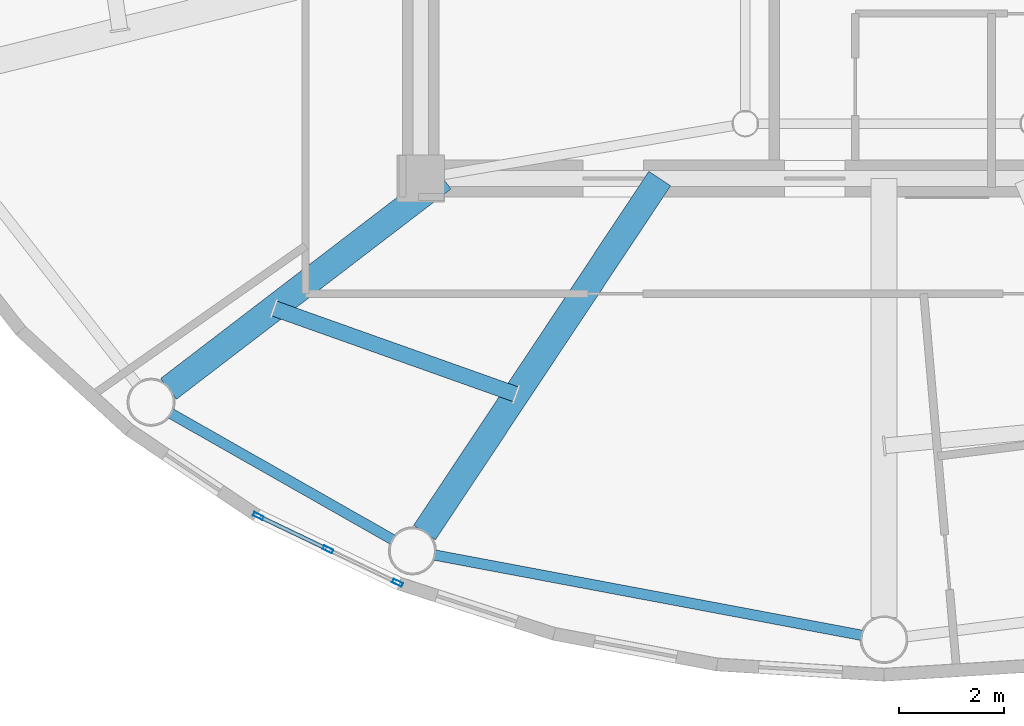
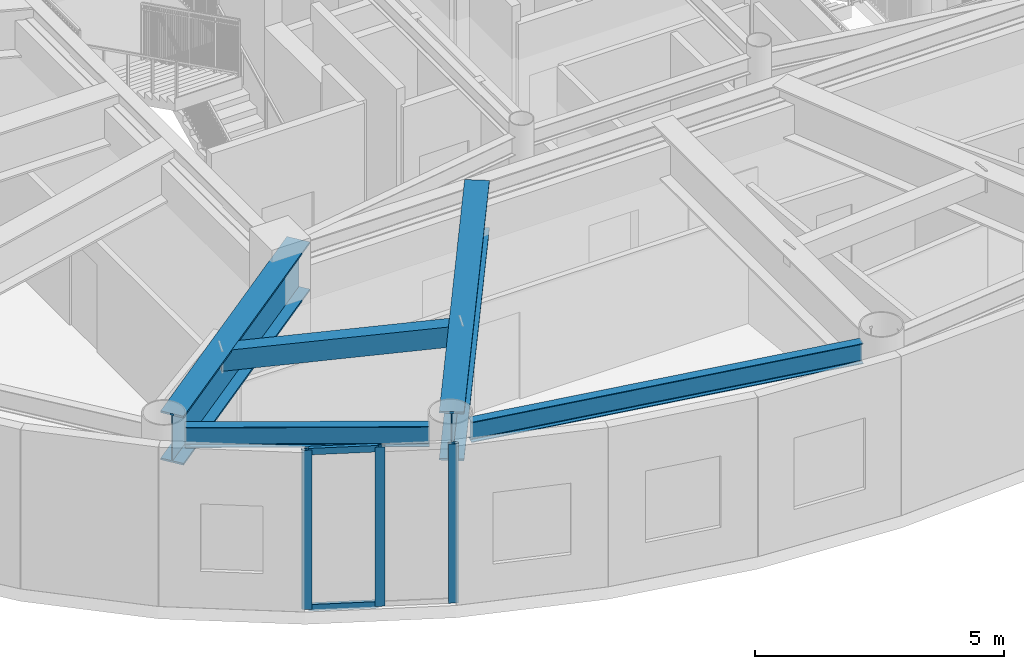
# One storey, part 3 of 26: 5 beams, 5 members, 1 element without a shape of its own.
"""IFC4 building model written with IfcOpenShell, lengths in metres."""

from ifc_helpers import new_model, si_unit, direction, frame, origin, origin_2d, place, context, subcontext, project, spatial, hollow_rectangle, i_section, extrude, source, transform, mapped, material, layer, layer_set, material_profile, profile_set, type_object, element, aggregate, save


model = new_model("IFC4")

# Units and contexts
model_context = context("Model", 3, precision=1e-05, world=origin(), true_north=direction((0.0, 1.0)))
body_context = subcontext(model_context, "Body", "Model", "MODEL_VIEW")
ifc_project = project(units=[si_unit("LENGTHUNIT", "METRE"), si_unit("AREAUNIT", "SQUARE_METRE"), si_unit("VOLUMEUNIT", "CUBIC_METRE"), si_unit("PLANEANGLEUNIT", "RADIAN"), si_unit("MASSUNIT", "GRAM", prefix="KILO")], contexts=[model_context])

# Site, building, storey
site_placement = place(None, origin())
site = spatial("IfcSite", under=ifc_project, at=site_placement, CompositionType="ELEMENT")
building_placement = place(site_placement, origin())
building = spatial("IfcBuilding", under=site, at=building_placement, Name="Linh Dai School and Residence Tower", CompositionType="ELEMENT")
storey_placement = place(building_placement, frame((0.0, 0.0, 346.800048828125)))
storey = spatial("IfcBuildingStorey", under=building, at=storey_placement, Name="L86", CompositionType="ELEMENT", Elevation=346.800048828125)

# Beams
ifc_material_1 = material(Name="Structural Steel S355JR", Category="steel")
ifc_material_profile_1 = material_profile(ifc_material_1, hollow_rectangle(XDim=0.300048828125, YDim=0.5, WallThickness=0.01611328125, at=origin_2d()), Name="RHS 500x300x16")
ifc_profile_set_1 = profile_set([ifc_material_profile_1], Name="Structural Steel S355JR")
beam_type_1 = type_object("IfcBeamType", Name="BM-BX5", PredefinedType="BEAM", material=ifc_profile_set_1)
beam_1_placement = place(storey_placement, frame((24.345703125, 18.070068359375, 3.64990234375), z_axis=(0.942259700993, -0.334883048069, 0.0), x_axis=(0.334883048069, 0.942259700993, 0.0)))
element("IfcBeam", 1, at=beam_1_placement, inside=storey, type_object=beam_type_1, Name="L86 Secondary Circumferential Floor Beam 06", PredefinedType="BEAM", context=body_context, shape_type="SweptSolid", body=[
    extrude(hollow_rectangle(XDim=0.300048828125, YDim=0.5, WallThickness=0.01611328125, at=origin_2d()), origin(), (0.0, 0.0, 1.0), 4.9072265625),
])
ifc_material_profile_2 = material_profile(ifc_material_1, i_section(OverallWidth=0.199951171875, OverallDepth=0.5, WebThickness=0.01025390625, FlangeThickness=0.01611328125, FilletRadius=0.02099609375, at=origin_2d()), Name="IPE 500")
ifc_profile_set_2 = profile_set([ifc_material_profile_2], Name="Structural Steel S355JR")
beam_type_2 = type_object("IfcBeamType", Name="BM-RB50", PredefinedType="BEAM", material=ifc_profile_set_2)
beam_2_placement = place(storey_placement, frame((22.362548828125, 16.069580078125, 3.64990234375), z_axis=(0.86923725405, -0.494395182189, 0.0), x_axis=(0.494395182189, 0.86923725405, 0.0)))
element("IfcBeam", 2, at=beam_2_placement, inside=storey, type_object=beam_type_2, Name="L86 Perimeter Elliptical Ring Beam 11", PredefinedType="BEAM", context=body_context, shape_type="SweptSolid", body=[
    extrude(i_section(OverallWidth=0.199951171875, OverallDepth=0.5, WebThickness=0.01025390625, FlangeThickness=0.01611328125, FilletRadius=0.02099609375, at=origin_2d()), origin(), (0.0, 0.0, 1.0), 4.903076171875),
])
beam_3_placement = place(storey_placement, frame((27.402587890625, 13.3603515625, 3.64990234375), z_axis=(0.98280175603, -0.184663771066, 0.0), x_axis=(0.184663771066, 0.98280175603, 0.0)))
element("IfcBeam", 3, at=beam_3_placement, inside=storey, type_object=beam_type_2, Name="L86 Perimeter Elliptical Ring Beam 12", PredefinedType="BEAM", context=body_context, shape_type="SweptSolid", body=[
    extrude(i_section(OverallWidth=0.199951171875, OverallDepth=0.5, WebThickness=0.01025390625, FlangeThickness=0.01611328125, FilletRadius=0.02099609375, at=origin_2d()), origin(), (0.0, 0.0, 1.0), 8.327880859375),
])
ifc_material_profile_3 = material_profile(ifc_material_1, i_section(OverallWidth=0.5, OverallDepth=1.199951171875, WebThickness=0.02392578125, FlangeThickness=0.044921875, at=origin_2d()), Name="PG 1200x500x24x45")
ifc_profile_set_3 = profile_set([ifc_material_profile_3], Name="Structural Steel S355JR")
beam_type_3 = type_object("IfcBeamType", Name="BM-TG12", PredefinedType="BEAM", material=ifc_profile_set_3)
beam_4_placement = place(storey_placement, frame((27.5771484375, 20.550048828125, 3.300048828125), z_axis=(-0.793929753809, -0.608009495006, 0.0), x_axis=(0.608009495006, -0.793929753809, 0.0)))
element("IfcBeam", 4, at=beam_4_placement, inside=storey, type_object=beam_type_3, Name="L86 Primary Radial Floor Girder 11", PredefinedType="BEAM", context=body_context, shape_type="SweptSolid", body=[
    extrude(i_section(OverallWidth=0.5, OverallDepth=1.199951171875, WebThickness=0.02392578125, FlangeThickness=0.044921875, at=origin_2d()), origin(), (0.0, 0.0, 1.0), 6.607666015625),
])
beam_5_placement = place(storey_placement, frame((31.71484375, 20.550048828125, 3.300048828125), z_axis=(-0.553380967678, -0.832928270989, 0.0), x_axis=(0.832928270989, -0.553380967678, 0.0)))
element("IfcBeam", 5, at=beam_5_placement, inside=storey, type_object=beam_type_3, Name="L86 Primary Radial Floor Girder 12", PredefinedType="BEAM", context=body_context, shape_type="SweptSolid", body=[
    extrude(i_section(OverallWidth=0.5, OverallDepth=1.199951171875, WebThickness=0.02392578125, FlangeThickness=0.044921875, at=origin_2d()), origin(), (0.0, 0.0, 1.0), 8.11865234375),
])

# Curtain wall, members
ifc_material_2 = material(Name="Aluminium Anodised Curtain Wall", Category="aluminium")
ifc_layer = layer(ifc_material_2, 0.199951171875)
ifc_layer_set = layer_set([ifc_layer], Name="Aluminium Anodised Curtain Wall")
curtain_wall_type = type_object("IfcCurtainWallType", Name="CW-SYS-6", PredefinedType="USERDEFINED", material=ifc_layer_set)
curtain_wall_placement = place(storey_placement, origin())
curtain_wall = element("IfcCurtainWall", 6, at=curtain_wall_placement, inside=storey, type_object=curtain_wall_type, Name="L86 CW6 Curtain Wall 27", ObjectType="UNITISED CURTAIN WALL", PredefinedType="USERDEFINED")
ifc_material_3 = material(Name="Aluminium Alloy 6063-T6", Category="aluminium")
ifc_material_profile_4 = material_profile(ifc_material_3, hollow_rectangle(XDim=0.074951171875, YDim=0.199951171875, WallThickness=0.00390625, at=origin_2d()), Name="RHS 200x75x4")
ifc_profile_set_4 = profile_set([ifc_material_profile_4], Name="Aluminium Alloy 6063-T6")
member_type_1 = type_object("IfcMemberType", Name="CW-SYS-6-MUL", PredefinedType="MULLION", material=ifc_profile_set_4)
shared_shape_1 = source(origin(), body_context, "Body", "SweptSolid", [
    extrude(hollow_rectangle(XDim=0.074951171875, YDim=0.199951171875, WallThickness=0.00390625, at=origin_2d()), origin(), (0.0, 0.0, 1.0), 3.89990234375),
])
member_1_placement = place(storey_placement, frame((26.705810546875, 12.8271484375, 0.0), z_axis=(0.0, 0.0, 1.0), x_axis=(-0.432673572418, -0.901550652892, 0.0)))
member_1 = element("IfcMember", 7, at=member_1_placement, type_object=member_type_1, Name="CW6 mullion 1", PredefinedType="MULLION", context=body_context, shape_type="MappedRepresentation", body=[
    mapped(shared_shape_1, transform((0.0, 0.0, 0.0), x_axis=(1.0, 0.0, 0.0), y_axis=(0.0, 1.0, 0.0), z_axis=(0.0, 0.0, 1.0), scale=1.0)),
])
member_2_placement = place(storey_placement, frame((25.3759765625, 13.46533203125, 0.0), z_axis=(0.0, 0.0, 1.0), x_axis=(-0.432673572418, -0.901550652892, 0.0)))
member_2 = element("IfcMember", 8, at=member_2_placement, type_object=member_type_1, Name="CW6 mullion 2", PredefinedType="MULLION", context=body_context, shape_type="MappedRepresentation", body=[
    mapped(shared_shape_1, transform((0.0, 0.0, 0.0), x_axis=(1.0, 0.0, 0.0), y_axis=(0.0, 1.0, 0.0), z_axis=(0.0, 0.0, 1.0), scale=1.0)),
])
member_3_placement = place(storey_placement, frame((24.046142578125, 14.103759765625, 0.0), z_axis=(0.0, 0.0, 1.0), x_axis=(-0.432673572418, -0.901550652892, 0.0)))
member_3 = element("IfcMember", 9, at=member_3_placement, type_object=member_type_1, Name="CW6 mullion 3", PredefinedType="MULLION", context=body_context, shape_type="MappedRepresentation", body=[
    mapped(shared_shape_1, transform((0.0, 0.0, 0.0), x_axis=(1.0, 0.0, 0.0), y_axis=(0.0, 1.0, 0.0), z_axis=(0.0, 0.0, 1.0), scale=1.0)),
])
ifc_material_profile_5 = material_profile(ifc_material_3, hollow_rectangle(XDim=0.074951171875, YDim=0.159912109375, WallThickness=0.00390625, at=origin_2d()), Name="RHS 160x75x4")
ifc_profile_set_5 = profile_set([ifc_material_profile_5], Name="Aluminium Alloy 6063-T6")
member_type_2 = type_object("IfcMemberType", Name="CW-SYS-6-TRN", PredefinedType="USERDEFINED", material=ifc_profile_set_5)
shared_shape_2 = source(origin(), body_context, "Body", "SweptSolid", [
    extrude(hollow_rectangle(XDim=0.074951171875, YDim=0.159912109375, WallThickness=0.00390625, at=origin_2d()), origin(), (0.0, 0.0, 1.0), 1.39990234375),
])
member_4_placement = place(storey_placement, frame((25.342041015625, 13.481689453125, 0.037353515625), z_axis=(-0.901563871495, 0.432646028081, 0.0), x_axis=(-0.432646028081, -0.901563871495, 0.0)))
member_4 = element("IfcMember", 10, at=member_4_placement, type_object=member_type_2, Name="CW6 transom 2.1", ObjectType="TRANSOM", PredefinedType="USERDEFINED", context=body_context, shape_type="MappedRepresentation", body=[
    mapped(shared_shape_2, transform((0.0, 0.0, 0.0), x_axis=(1.0, 0.0, 0.0), y_axis=(0.0, 1.0, 0.0), z_axis=(0.0, 0.0, 1.0), scale=1.0)),
])
member_5_placement = place(storey_placement, frame((25.342041015625, 13.481689453125, 3.862548828125), z_axis=(-0.901563871495, 0.432646028081, 0.0), x_axis=(-0.432646028081, -0.901563871495, 0.0)))
member_5 = element("IfcMember", 11, at=member_5_placement, type_object=member_type_2, Name="CW6 transom 2.2", ObjectType="TRANSOM", PredefinedType="USERDEFINED", context=body_context, shape_type="MappedRepresentation", body=[
    mapped(shared_shape_2, transform((0.0, 0.0, 0.0), x_axis=(1.0, 0.0, 0.0), y_axis=(0.0, 1.0, 0.0), z_axis=(0.0, 0.0, 1.0), scale=1.0)),
])
aggregate(curtain_wall, [member_1, member_2, member_3, member_4, member_5])

save(model, "model.ifc")
